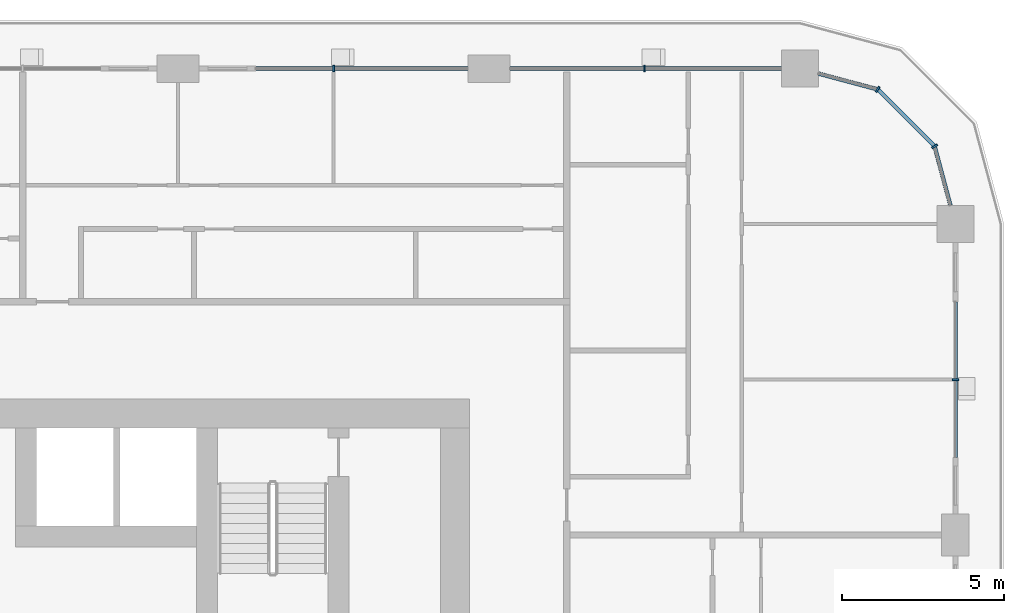
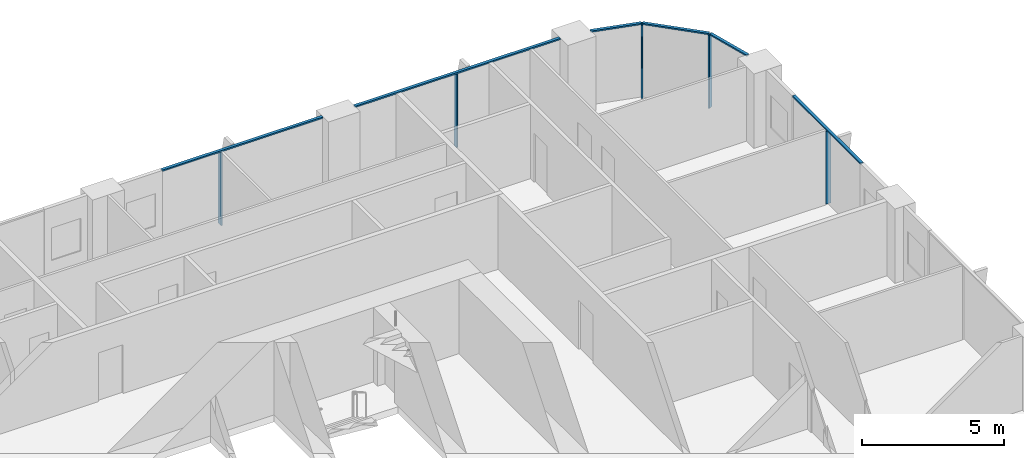
# One storey, part 6 of 22: 11 members, 4 elements without a shape of their own.
"""IFC4 building model written with IfcOpenShell, lengths in metres."""

from ifc_helpers import new_model, si_unit, direction, frame, origin, origin_2d, place, context, subcontext, project, spatial, rectangle, extrude, material, layer, layer_set, material_profile, profile_set, type_object, element, aggregate, save


model = new_model("IFC4")

# Units and contexts
model_context = context("Model", 3, precision=1e-05, world=origin(), true_north=direction((0.0, 1.0)))
body_context = subcontext(model_context, "Body", "Model", "MODEL_VIEW")
ifc_project = project(units=[si_unit("LENGTHUNIT", "METRE"), si_unit("AREAUNIT", "SQUARE_METRE"), si_unit("VOLUMEUNIT", "CUBIC_METRE"), si_unit("PLANEANGLEUNIT", "RADIAN"), si_unit("MASSUNIT", "GRAM", prefix="KILO")], contexts=[model_context])

# Site, building, storey
site_placement = place(None, origin())
site = spatial("IfcSite", under=ifc_project, at=site_placement, CompositionType="ELEMENT")
building_placement = place(site_placement, origin())
building = spatial("IfcBuilding", under=site, at=building_placement, Name="Madar Terraces", CompositionType="ELEMENT")
storey_placement = place(building_placement, frame((0.0, 0.0, 76.800048828125)))
storey = spatial("IfcBuildingStorey", under=building, at=storey_placement, Name="L19", CompositionType="ELEMENT", Elevation=76.800048828125)

# Curtain wall, member
ifc_material_1 = material(Name="Glass, ceramic frit dark grey, with black aluminium frame", Category="aluminium")
ifc_layer = layer(ifc_material_1, 0.199951171875)
ifc_layer_set = layer_set([ifc_layer], Name="Facade curtain wall, fritted glass")
curtain_wall_type = type_object("IfcCurtainWallType", Name="Facade curtain wall, fritted glass", PredefinedType="NOTDEFINED", material=ifc_layer_set)
curtain_wall_1_placement = place(storey_placement, origin())
curtain_wall_1 = element("IfcCurtainWall", 1, at=curtain_wall_1_placement, inside=storey, type_object=curtain_wall_type, Name="Outer skin curtain wall east bay 4", PredefinedType="NOTDEFINED")
ifc_material_2 = material(Name="Aluminium, black anodised", Category="aluminium")
ifc_material_profile_1 = material_profile(ifc_material_2, rectangle(XDim=0.199951171875, YDim=0.06005859375, at=origin_2d()), Name="Facade mullion 60x200")
ifc_profile_set_1 = profile_set([ifc_material_profile_1], Name="Aluminium, black anodised")
member_type_1 = type_object("IfcMemberType", Name="Facade mullion 60x200", PredefinedType="MULLION", material=ifc_profile_set_1)
member_1_placement = place(storey_placement, frame((62.39990234375, 38.39990234375, 0.0), z_axis=(0.0, 0.0, 1.0), x_axis=(-1.0, 0.0, 0.0)))
member_1 = element("IfcMember", 2, at=member_1_placement, type_object=member_type_1, Name="Mullion 1", PredefinedType="MULLION", context=body_context, shape_type="SweptSolid", body=[
    extrude(rectangle(XDim=0.199951171875, YDim=0.06005859375, at=origin_2d()), origin(), (0.0, 0.0, 1.0), 3.139892578125),
])

curtain_wall_2_placement = place(storey_placement, origin())
curtain_wall_2 = element("IfcCurtainWall", 3, at=curtain_wall_2_placement, inside=storey, type_object=curtain_wall_type, Name="Outer skin curtain wall north bay 1", PredefinedType="NOTDEFINED")
member_2_placement = place(storey_placement, frame((52.800048828125, 48.0, 0.0), z_axis=(0.0, 0.0, 1.0), x_axis=(0.0, -1.0, 0.0)))
member_2 = element("IfcMember", 4, at=member_2_placement, type_object=member_type_1, Name="Mullion 1", PredefinedType="MULLION", context=body_context, shape_type="SweptSolid", body=[
    extrude(rectangle(XDim=0.199951171875, YDim=0.06005859375, at=origin_2d()), origin(), (0.0, 0.0, 1.0), 3.139892578125),
])

curtain_wall_3_placement = place(storey_placement, origin())
curtain_wall_3 = element("IfcCurtainWall", 5, at=curtain_wall_3_placement, inside=storey, type_object=curtain_wall_type, Name="Outer skin curtain wall north bay 2", PredefinedType="NOTDEFINED")
member_3_placement = place(storey_placement, frame((43.199951171875, 48.0, 0.0), z_axis=(0.0, 0.0, 1.0), x_axis=(0.0, -1.0, 0.0)))
member_3 = element("IfcMember", 6, at=member_3_placement, type_object=member_type_1, Name="Mullion 1", PredefinedType="MULLION", context=body_context, shape_type="SweptSolid", body=[
    extrude(rectangle(XDim=0.199951171875, YDim=0.06005859375, at=origin_2d()), origin(), (0.0, 0.0, 1.0), 3.139892578125),
])

# Curtain wall, members
curtain_wall_4_placement = place(storey_placement, origin())
curtain_wall_4 = element("IfcCurtainWall", 7, at=curtain_wall_4_placement, inside=storey, type_object=curtain_wall_type, Name="Outer skin curtain wall north-east corner", PredefinedType="NOTDEFINED")
member_4_placement = place(storey_placement, frame((61.7568359375, 45.60009765625, 0.0), z_axis=(0.0, 0.0, 1.0), x_axis=(-0.866025409797, -0.499999989586, 0.0)))
member_4 = element("IfcMember", 8, at=member_4_placement, type_object=member_type_1, Name="Mullion 1", PredefinedType="MULLION", context=body_context, shape_type="SweptSolid", body=[
    extrude(rectangle(XDim=0.199951171875, YDim=0.06005859375, at=origin_2d()), origin(), (0.0, 0.0, 1.0), 3.139892578125),
])
member_5_placement = place(storey_placement, frame((60.0, 47.35693359375, 0.0), z_axis=(0.0, 0.0, 1.0), x_axis=(-0.499999989586, -0.866025409797, 0.0)))
member_5 = element("IfcMember", 9, at=member_5_placement, type_object=member_type_1, Name="Mullion 2", PredefinedType="MULLION", context=body_context, shape_type="SweptSolid", body=[
    extrude(rectangle(XDim=0.199951171875, YDim=0.06005859375, at=origin_2d()), origin(), (0.0, 0.0, 1.0), 3.139892578125),
])

# Member
ifc_material_3 = material(Name="Aluminium, black anodised", Category="aluminium")
ifc_material_profile_2 = material_profile(ifc_material_3, rectangle(XDim=0.1201171875, YDim=0.06005859375, at=origin_2d()), Name="Facade transom 60x120")
ifc_profile_set_2 = profile_set([ifc_material_profile_2], Name="Aluminium, black anodised")
member_type_2 = type_object("IfcMemberType", Name="Facade transom 60x120", PredefinedType="USERDEFINED", material=ifc_profile_set_2)
member_6_placement = place(storey_placement, frame((62.39990234375, 36.0, 3.169921875), z_axis=(0.0, 1.0, 0.0), x_axis=(-1.0, 0.0, 0.0)))
member_6 = element("IfcMember", 10, at=member_6_placement, type_object=member_type_2, Name="Transom 1", ObjectType="TRANSOM", PredefinedType="USERDEFINED", context=body_context, shape_type="SweptSolid", body=[
    extrude(rectangle(XDim=0.1201171875, YDim=0.06005859375, at=origin_2d()), origin(), (0.0, 0.0, 1.0), 4.800048828125),
])

aggregate(curtain_wall_1, [member_1, member_6])

member_7_placement = place(storey_placement, frame((57.02490234375, 48.0, 3.169921875), z_axis=(-1.0, 0.0, 0.0), x_axis=(0.0, -1.0, 0.0)))
member_7 = element("IfcMember", 11, at=member_7_placement, type_object=member_type_2, Name="Transom 1", ObjectType="TRANSOM", PredefinedType="USERDEFINED", context=body_context, shape_type="SweptSolid", body=[
    extrude(rectangle(XDim=0.1201171875, YDim=0.06005859375, at=origin_2d()), origin(), (0.0, 0.0, 1.0), 8.375),
])

aggregate(curtain_wall_2, [member_2, member_7])

member_8_placement = place(storey_placement, frame((47.35009765625, 48.0, 3.169921875), z_axis=(-1.0, 0.0, 0.0), x_axis=(0.0, -1.0, 0.0)))
member_8 = element("IfcMember", 12, at=member_8_placement, type_object=member_type_2, Name="Transom 1", ObjectType="TRANSOM", PredefinedType="USERDEFINED", context=body_context, shape_type="SweptSolid", body=[
    extrude(rectangle(XDim=0.1201171875, YDim=0.06005859375, at=origin_2d()), origin(), (0.0, 0.0, 1.0), 6.550048828125),
])

aggregate(curtain_wall_3, [member_3, member_8])

member_9_placement = place(storey_placement, frame((62.245849609375, 43.77490234375, 3.169921875), z_axis=(-0.258782024434, 0.965935745187, 0.0), x_axis=(-0.965935745187, -0.258782024434, 0.0)))
member_9 = element("IfcMember", 13, at=member_9_placement, type_object=member_type_2, Name="Transom 1", ObjectType="TRANSOM", PredefinedType="USERDEFINED", context=body_context, shape_type="SweptSolid", body=[
    extrude(rectangle(XDim=0.1201171875, YDim=0.06005859375, at=origin_2d()), origin(), (0.0, 0.0, 1.0), 1.859375),
])

member_10_placement = place(storey_placement, frame((61.735595703125, 45.62109375, 3.169921875), z_axis=(-0.707056433593, 0.707157125196, 0.0), x_axis=(-0.707157125196, -0.707056433593, 0.0)))
member_10 = element("IfcMember", 14, at=member_10_placement, type_object=member_type_2, Name="Transom 2", ObjectType="TRANSOM", PredefinedType="USERDEFINED", context=body_context, shape_type="SweptSolid", body=[
    extrude(rectangle(XDim=0.1201171875, YDim=0.06005859375, at=origin_2d()), origin(), (0.0, 0.0, 1.0), 2.424560546875),
])

member_11_placement = place(storey_placement, frame((59.970947265625, 47.36474609375, 3.169921875), z_axis=(-0.965926950947, 0.258814847786, 0.0), x_axis=(-0.258814847786, -0.965926950947, 0.0)))
member_11 = element("IfcMember", 15, at=member_11_placement, type_object=member_type_2, Name="Transom 3", ObjectType="TRANSOM", PredefinedType="USERDEFINED", context=body_context, shape_type="SweptSolid", body=[
    extrude(rectangle(XDim=0.1201171875, YDim=0.06005859375, at=origin_2d()), origin(), (0.0, 0.0, 1.0), 1.859130859375),
])

aggregate(curtain_wall_4, [member_4, member_9, member_5, member_10, member_11])

save(model, "model.ifc")
